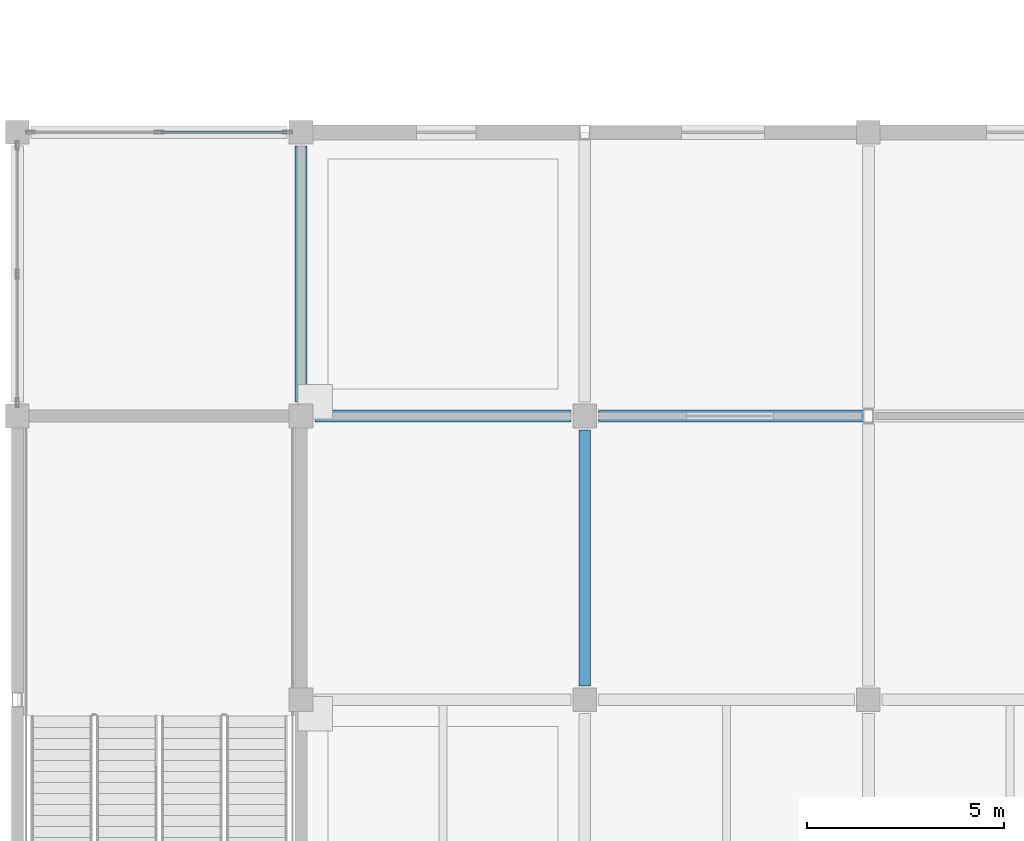
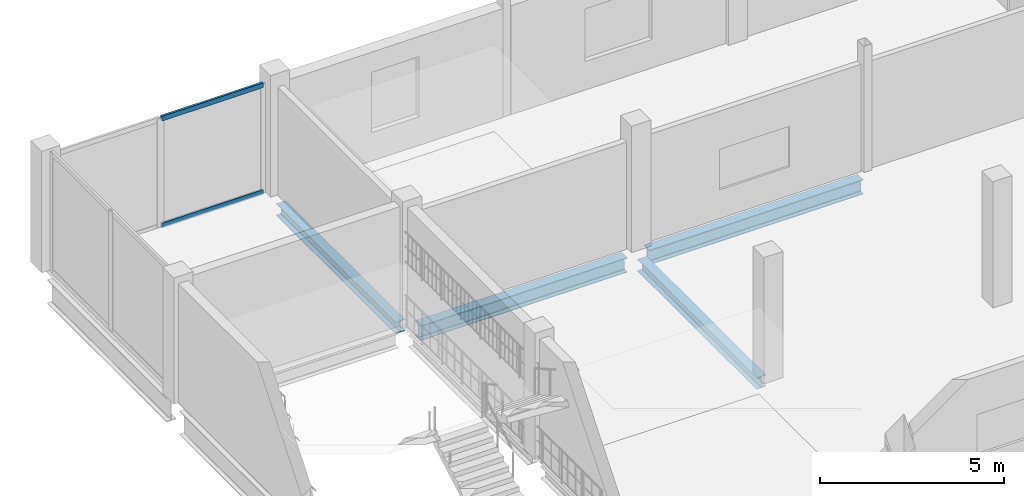
# One storey, part 14 of 51: 4 beams, 2 members, 1 element without a shape of its own.
"""IFC4 building model written with IfcOpenShell, lengths in metres."""

from ifc_helpers import new_model, si_unit, direction, frame, origin, origin_2d, place, context, subcontext, project, spatial, hollow_rectangle, i_section, extrude, material, material_profile, profile_set, type_object, element, aggregate, save


model = new_model("IFC4")

# Units and contexts
model_context = context("Model", 3, precision=1e-05, world=origin(), true_north=direction((0.0, 1.0)))
body_context = subcontext(model_context, "Body", "Model", "MODEL_VIEW")
ifc_project = project(units=[si_unit("LENGTHUNIT", "METRE"), si_unit("AREAUNIT", "SQUARE_METRE"), si_unit("VOLUMEUNIT", "CUBIC_METRE"), si_unit("PLANEANGLEUNIT", "RADIAN"), si_unit("MASSUNIT", "GRAM", prefix="KILO")], contexts=[model_context])

# Site, building, storey
site_placement = place(None, origin())
site = spatial("IfcSite", under=ifc_project, at=site_placement, CompositionType="ELEMENT")
building_placement = place(site_placement, origin())
building = spatial("IfcBuilding", under=site, at=building_placement, Name="Vesperath Aquatics Centre", CompositionType="ELEMENT")
storey_placement = place(building_placement, frame((0.0, 0.0, 15.0)))
storey = spatial("IfcBuildingStorey", under=building, at=storey_placement, Name="L03", CompositionType="ELEMENT", Elevation=15.0)

# Beams
ifc_material_1 = material(Name="Steel Q355C", Category="steel")
ifc_material_profile_1 = material_profile(ifc_material_1, i_section(OverallWidth=0.300048828125, OverallDepth=0.488037109375, WebThickness=0.010986328125, FlangeThickness=0.01806640625, FilletRadius=0.02587890625, at=origin_2d()), Name="HM 488x300x11x18")
ifc_profile_set_1 = profile_set([ifc_material_profile_1], Name="Steel Q355C")
beam_type_1 = type_object("IfcBeamType", Name="BM-G10", PredefinedType="BEAM", material=ifc_profile_set_1)
beam_1_placement = place(storey_placement, frame((122.75, 36.0, -0.48388671875), z_axis=(1.0, 0.0, 0.0), x_axis=(0.0, 1.0, 0.0)))
element("IfcBeam", 1, at=beam_1_placement, inside=storey, type_object=beam_type_1, Name="Floor Girder B10 L03 F 18-19", PredefinedType="BEAM", context=body_context, shape_type="SweptSolid", body=[
    extrude(i_section(OverallWidth=0.300048828125, OverallDepth=0.488037109375, WebThickness=0.010986328125, FlangeThickness=0.01806640625, FilletRadius=0.02587890625, at=origin_2d()), origin(), (0.0, 0.0, 1.0), 6.5),
])
beam_2_placement = place(storey_placement, frame((129.949951171875, 36.0, -0.48388671875), z_axis=(1.0, 0.0, 0.0), x_axis=(0.0, 1.0, 0.0)))
element("IfcBeam", 2, at=beam_2_placement, inside=storey, type_object=beam_type_1, Name="Floor Girder B10 L03 F 19-20", PredefinedType="BEAM", context=body_context, shape_type="SweptSolid", body=[
    extrude(i_section(OverallWidth=0.300048828125, OverallDepth=0.488037109375, WebThickness=0.010986328125, FlangeThickness=0.01806640625, FilletRadius=0.02587890625, at=origin_2d()), origin(), (0.0, 0.0, 1.0), 6.72509765625),
])
ifc_material_profile_2 = material_profile(ifc_material_1, i_section(OverallWidth=0.300048828125, OverallDepth=0.389892578125, WebThickness=0.010009765625, FlangeThickness=0.01611328125, FilletRadius=0.02197265625, at=origin_2d()), Name="HM 390x300x10x16")
ifc_profile_set_2 = profile_set([ifc_material_profile_2], Name="Steel Q355C")
beam_type_2 = type_object("IfcBeamType", Name="BM-G11", PredefinedType="BEAM", material=ifc_profile_set_2)
for number, where, z_axis, x_axis, name in (
    (3, (122.39990234375, 36.35009765625, -0.43505859375), (0.0, 1.0, 0.0), (-1.0, 0.0, 0.0), "Floor Girder B11 L03 18 F-G"),
    (4, (129.60009765625, 29.14990234375, -0.43505859375), (0.0, 1.0, 0.0), (-1.0, 0.0, 0.0), "Floor Girder B11 L03 19 E-F"),
):
    element("IfcBeam", number, at=place(storey_placement, frame(where, z_axis=z_axis, x_axis=x_axis)), inside=storey, type_object=beam_type_2, Name=name, PredefinedType="BEAM", context=body_context, shape_type="SweptSolid", body=[
        extrude(i_section(OverallWidth=0.300048828125, OverallDepth=0.389892578125, WebThickness=0.010009765625, FlangeThickness=0.01611328125, FilletRadius=0.02197265625, at=origin_2d()), origin(), (0.0, 0.0, 1.0), 6.5),
    ])

# Curtain wall, members
ifc_material_2 = material(Name="Thermally broken anodised bronze aluminium curtain wall", Category="aluminium")
curtain_wall_type = type_object("IfcCurtainWallType", Name="CW-07", PredefinedType="NOTDEFINED", material=ifc_material_2)
curtain_wall_placement = place(storey_placement, origin())
curtain_wall = element("IfcCurtainWall", 5, at=curtain_wall_placement, inside=storey, type_object=curtain_wall_type, Name="Facade Curtain Wall CW07 L03_N_16_06", PredefinedType="NOTDEFINED")
ifc_material_3 = material(Name="Thermally broken anodised aluminium", Category="aluminium")
ifc_material_profile_3 = material_profile(ifc_material_3, hollow_rectangle(XDim=0.070068359375, YDim=0.159912109375, WallThickness=0.0048828125, at=origin_2d()), Name="CWT 70x160x5")
ifc_profile_set_3 = profile_set([ifc_material_profile_3], Name="Thermally broken anodised aluminium")
member_type = type_object("IfcMemberType", Name="MB-CWT2", PredefinedType="USERDEFINED", material=ifc_profile_set_3)
member_1_placement = place(storey_placement, frame((118.8349609375, 43.199951171875, 0.034912109375), z_axis=(1.0, 0.0, 0.0), x_axis=(0.0, 1.0, 0.0)))
member_1 = element("IfcMember", 6, at=member_1_placement, type_object=member_type, Name="CW07 transom 2.1", ObjectType="TRANSOM", PredefinedType="USERDEFINED", context=body_context, shape_type="SweptSolid", body=[
    extrude(hollow_rectangle(XDim=0.070068359375, YDim=0.159912109375, WallThickness=0.0048828125, at=origin_2d()), origin(), (0.0, 0.0, 1.0), 3.195068359375),
])
member_2_placement = place(storey_placement, frame((118.8349609375, 43.199951171875, 3.5849609375), z_axis=(1.0, 0.0, 0.0), x_axis=(0.0, 1.0, 0.0)))
member_2 = element("IfcMember", 7, at=member_2_placement, type_object=member_type, Name="CW07 transom 2.2", ObjectType="TRANSOM", PredefinedType="USERDEFINED", context=body_context, shape_type="SweptSolid", body=[
    extrude(hollow_rectangle(XDim=0.070068359375, YDim=0.159912109375, WallThickness=0.0048828125, at=origin_2d()), origin(), (0.0, 0.0, 1.0), 3.195068359375),
])
aggregate(curtain_wall, [member_1, member_2])

save(model, "model.ifc")
